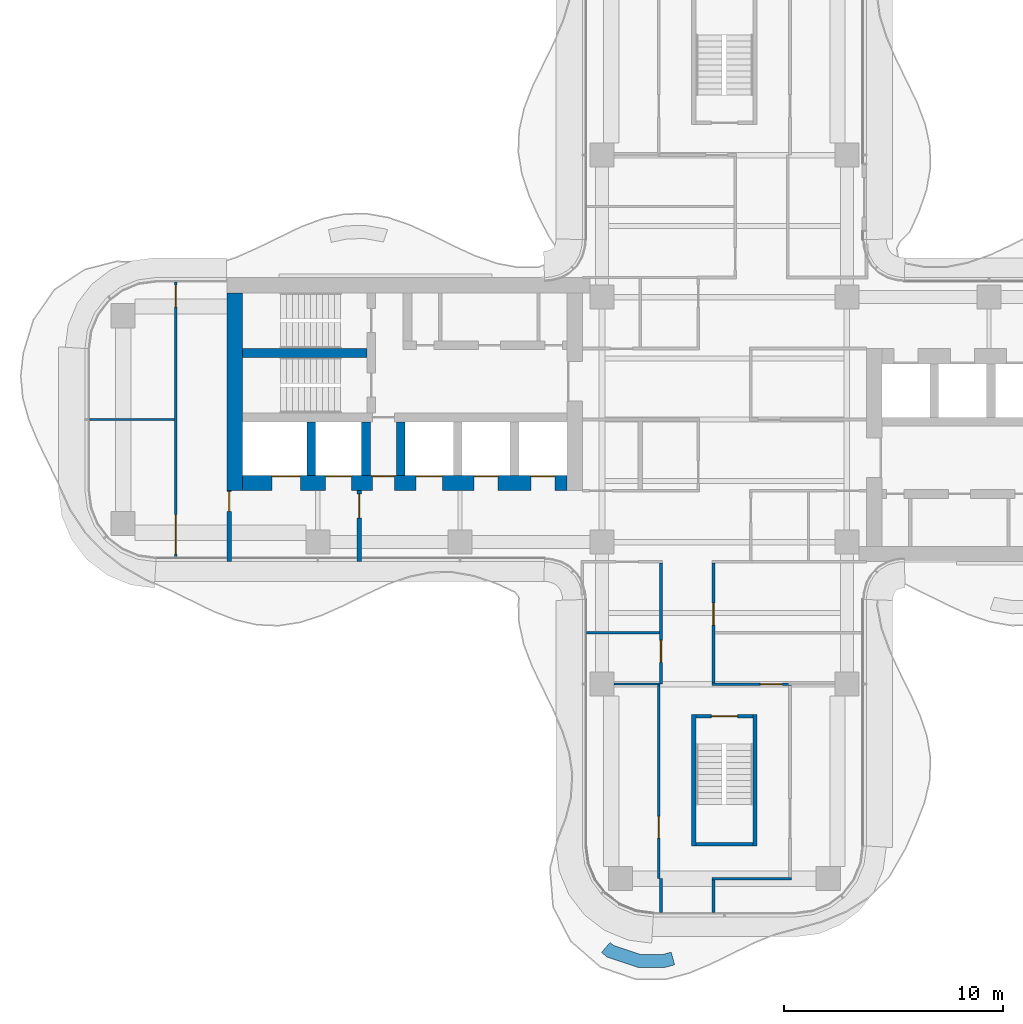
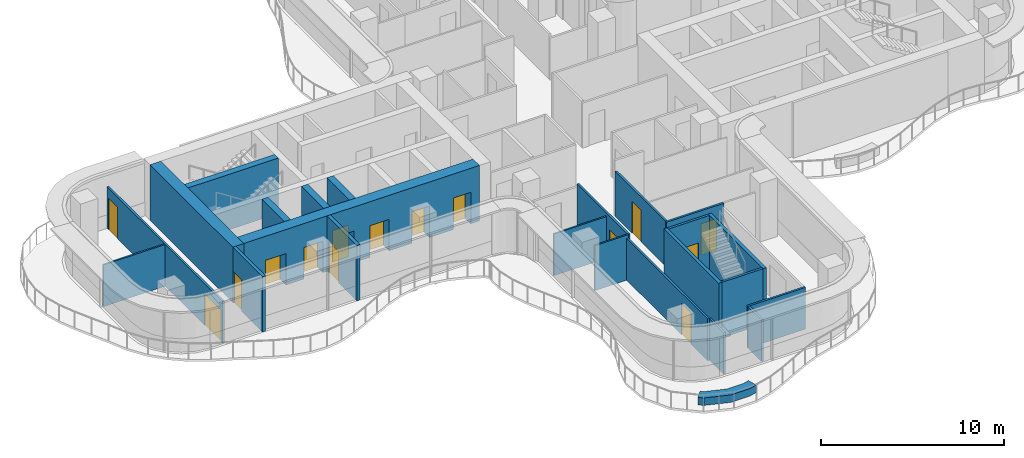
# One storey, part 11 of 16: 24 walls, 15 doors, 15 openings.
"""IFC4 building model written with IfcOpenShell, lengths in metres."""

from ifc_helpers import new_model, si_unit, direction, frame, frame_2d, origin, place, context, subcontext, project, spatial, polyline, rectangle, outline, extrude, source, transform, mapped, material, layer, layer_set, type_object, element, fill, save


model = new_model("IFC4")

# Units and contexts
model_context = context("Model", 3, precision=1e-05, world=origin(), true_north=direction((0.0, 1.0)))
body_context = subcontext(model_context, "Body", "Model", "MODEL_VIEW")
ifc_project = project(units=[si_unit("LENGTHUNIT", "METRE"), si_unit("AREAUNIT", "SQUARE_METRE"), si_unit("VOLUMEUNIT", "CUBIC_METRE"), si_unit("PLANEANGLEUNIT", "RADIAN"), si_unit("MASSUNIT", "GRAM", prefix="KILO")], contexts=[model_context])

# Site, building, storey
site_placement = place(None, origin())
site = spatial("IfcSite", under=ifc_project, at=site_placement, CompositionType="ELEMENT")
building_placement = place(site_placement, origin())
building = spatial("IfcBuilding", under=site, at=building_placement, Name="Trellis Farm Tower", CompositionType="ELEMENT")
storey_placement = place(building_placement, frame((0.0, 0.0, 255.800048828125)))
storey = spatial("IfcBuildingStorey", under=building, at=storey_placement, Name="L57", CompositionType="ELEMENT", Elevation=255.800048828125)

# Walls
ifc_material_1 = material(Name="Sandstone faced masonry planter", Category="masonry")
ifc_layer_1 = layer(ifc_material_1, 0.60009765625)
ifc_layer_set_1 = layer_set([ifc_layer_1], Name="PLANTER BED 600")
wall_type_1 = type_object("IfcWallType", Name="PLANTER BED 600", PredefinedType="USERDEFINED", material=ifc_layer_set_1)
wall_1_placement = place(storey_placement, origin())
element("IfcWall", 1, at=wall_1_placement, inside=storey, type_object=wall_type_1, Name="PLANTER bed", ObjectType="PLANTER", PredefinedType="USERDEFINED", context=body_context, shape_type="SweptSolid", body=[
    extrude(outline(polyline([(-2.71875, -25.0595703125), (-3.939208984375, -25.066650390625), (-5.377197265625, -24.581298828125), (-5.62158203125, -24.3701171875), (-5.22900390625, -23.91650390625), (-5.073974609375, -24.050537109375), (-3.84228515625, -24.466064453125), (-2.800537109375, -24.4599609375), (-2.43408203125, -24.360595703125), (-2.27685546875, -24.939453125), (-2.71875, -25.0595703125)])), origin(), (0.0, 0.0, 1.0), 0.5),
])
ifc_material_2 = material(Name="Concrete C60/75", Category="concrete")
ifc_layer_2 = layer(ifc_material_2, 0.699951171875)
ifc_layer_set_2 = layer_set([ifc_layer_2], Name="CORE OUTER WALL 700 CONCRETE C60/75")
wall_type_2 = type_object("IfcWallType", Name="CORE OUTER WALL 700 CONCRETE C60/75", PredefinedType="SHEAR", material=ifc_layer_set_2)
shared_shape_1 = source(origin(), body_context, "Body", "SweptSolid", [
    extrude(rectangle(XDim=9.050048828125, YDim=0.699951171875, at=frame_2d((4.52490234375, 0.0))), origin(), (0.0, 0.0, 1.0), 3.699951171875),
])
wall_2_placement = place(storey_placement, frame((-22.39990234375, 5.800048828125, 0.0), z_axis=(0.0, 0.0, 1.0), x_axis=(0.0, -1.0, 0.0)))
element("IfcWall", 2, at=wall_2_placement, inside=storey, type_object=wall_type_2, Name="Core wall", PredefinedType="SHEAR", context=body_context, shape_type="MappedRepresentation", body=[
    mapped(shared_shape_1, transform((0.0, 0.0, 0.0))),
])
ifc_layer_3 = layer(ifc_material_2, 0.39990234375)
ifc_layer_set_3 = layer_set([ifc_layer_3], Name="CORE INNER WALL 400 CONCRETE C60/75")
wall_type_3 = type_object("IfcWallType", Name="CORE INNER WALL 400 CONCRETE C60/75", PredefinedType="SHEAR", material=ifc_layer_set_3)
shared_shape_2 = source(origin(), body_context, "Body", "SweptSolid", [
    extrude(rectangle(XDim=2.449951171875, YDim=0.39990234375, at=frame_2d((1.22509765625, 0.0))), origin(), (0.0, 0.0, 1.0), 3.699951171875),
])
for number, where, z_axis, x_axis, name in (
    (3, (-14.800048828125, -0.10009765625, 0.0), (0.0, 0.0, 1.0), (0.0, -1.0, 0.0), "Core wall"),
    (4, (-16.39990234375, -0.10009765625, 0.0), (0.0, 0.0, 1.0), (0.0, -1.0, 0.0), "Core wall"),
    (5, (-18.89990234375, -0.10009765625, 0.0), (0.0, 0.0, 1.0), (0.0, -1.0, 0.0), "Core wall"),
):
    element("IfcWall", number, at=place(storey_placement, frame(where, z_axis=z_axis, x_axis=x_axis)), inside=storey, type_object=wall_type_3, Name=name, PredefinedType="SHEAR", context=body_context, shape_type="MappedRepresentation", body=[
        mapped(shared_shape_2, transform((0.0, 0.0, 0.0))),
    ])

# Wall, opening, door
ifc_material_3 = material(Name="Masonry blockwork", Category="masonry")
ifc_layer_4 = layer(ifc_material_3, 0.199951171875)
ifc_layer_set_4 = layer_set([ifc_layer_4], Name="FIRE LOBBY PARTITION 200 BLOCKWORK")
wall_type_4 = type_object("IfcWallType", Name="FIRE LOBBY PARTITION 200 BLOCKWORK", PredefinedType="PARTITIONING", material=ifc_layer_set_4)
shared_shape_3 = source(origin(), body_context, "Body", "SweptSolid", [
    extrude(rectangle(XDim=3.25, YDim=0.199951171875, at=frame_2d((1.625, 0.0))), origin(), (0.0, 0.0, 1.0), 3.699951171875),
])
wall_3_placement = place(storey_placement, frame((-16.699951171875, -3.25, 0.0), z_axis=(0.0, 0.0, 1.0), x_axis=(0.0, -1.0, 0.0)))
wall_3 = element("IfcWall", 6, at=wall_3_placement, inside=storey, type_object=wall_type_4, Name="Fire-fighting lobby partition", PredefinedType="PARTITIONING", context=body_context, shape_type="MappedRepresentation", body=[
    mapped(shared_shape_3, transform((0.0, 0.0, 0.0))),
])
shared_shape_4 = source(origin(), body_context, "Body", "SweptSolid", [
    extrude(rectangle(XDim=1.10009765625, YDim=2.10009765625, at=frame_2d((0.550048828125, 1.050048828125))), frame((0.0, 0.110107421875, 0.0), z_axis=(0.0, -1.0, 0.0), x_axis=(1.0, 0.0, 0.0)), (0.0, 0.0, 1.0), 0.22021484375),
])
opening_1_placement = place(wall_3_placement, frame((0.14990234375, 0.0, 0.0)))
opening_1 = element("IfcOpeningElement", 7, at=opening_1_placement, cuts=wall_3, Name="Opening DC93", PredefinedType="OPENING", context=body_context, shape_type="MappedRepresentation", body=[
    mapped(shared_shape_4, transform((0.0, 0.0, 0.0))),
])
ifc_material_4 = material(Name="Steel", Category="steel")
door_type_1 = type_object("IfcDoorType", Name="CORE FIRE DOOR 1100 X 2100", OperationType="NOTDEFINED", PredefinedType="DOOR", material=ifc_material_4)
shared_shape_5 = source(origin(), body_context, "Body", "SweptSolid", [
    extrude(rectangle(XDim=1.10009765625, YDim=2.10009765625, at=frame_2d((0.550048828125, 1.050048828125))), frame((0.0, 0.02490234375, 0.0), z_axis=(0.0, -1.0, 0.0), x_axis=(1.0, 0.0, 0.0)), (0.0, 0.0, 1.0), 0.050048828125),
])
door_1_placement = place(opening_1_placement, origin())
door_1 = element("IfcDoor", 8, at=door_1_placement, inside=storey, type_object=door_type_1, Name="Core door", OperationType="SINGLE_SWING_RIGHT", OverallHeight=2.10009765625, OverallWidth=1.10009765625, PredefinedType="DOOR", context=body_context, shape_type="MappedRepresentation", body=[
    mapped(shared_shape_5, transform((0.0, 0.0, 0.0))),
])
fill(opening_1, door_1)

wall_4_placement = place(storey_placement, frame((-22.64990234375, -3.25, 0.0), z_axis=(0.0, 0.0, 1.0), x_axis=(0.0, -1.0, 0.0)))
wall_4 = element("IfcWall", 9, at=wall_4_placement, inside=storey, type_object=wall_type_4, Name="Fire-fighting lobby partition", PredefinedType="PARTITIONING", context=body_context, shape_type="MappedRepresentation", body=[
    mapped(shared_shape_3, transform((0.0, 0.0, 0.0))),
])
shared_shape_6 = source(origin(), body_context, "Body", "SweptSolid", [
    extrude(rectangle(XDim=0.89990234375, YDim=2.10009765625, at=frame_2d((0.449951171875, 1.050048828125))), frame((0.0, 0.110107421875, 0.0), z_axis=(0.0, -1.0, 0.0), x_axis=(1.0, 0.0, 0.0)), (0.0, 0.0, 1.0), 0.22021484375),
])
opening_2_placement = place(wall_4_placement, frame((0.050048828125, 0.0, 0.0)))
opening_2 = element("IfcOpeningElement", 10, at=opening_2_placement, cuts=wall_4, Name="Opening DC94", PredefinedType="OPENING", context=body_context, shape_type="MappedRepresentation", body=[
    mapped(shared_shape_6, transform((0.0, 0.0, 0.0))),
])
door_type_2 = type_object("IfcDoorType", Name="CORE FIRE DOOR 900 X 2100", OperationType="NOTDEFINED", PredefinedType="DOOR", material=ifc_material_4)
shared_shape_7 = source(origin(), body_context, "Body", "SweptSolid", [
    extrude(rectangle(XDim=0.89990234375, YDim=2.10009765625, at=frame_2d((0.449951171875, 1.050048828125))), frame((0.0, 0.02490234375, 0.0), z_axis=(0.0, -1.0, 0.0), x_axis=(1.0, 0.0, 0.0)), (0.0, 0.0, 1.0), 0.050048828125),
])
door_2_placement = place(opening_2_placement, origin())
door_2 = element("IfcDoor", 11, at=door_2_placement, inside=storey, type_object=door_type_2, Name="Core door", OperationType="SINGLE_SWING_RIGHT", OverallHeight=2.10009765625, OverallWidth=0.89990234375, PredefinedType="DOOR", context=body_context, shape_type="MappedRepresentation", body=[
    mapped(shared_shape_7, transform((0.0, 0.0, 0.0))),
])
fill(opening_2, door_2)

# Wall, openings, doors
shared_shape_8 = source(origin(), body_context, "Body", "SweptSolid", [
    extrude(rectangle(XDim=14.85009765625, YDim=0.699951171875, at=frame_2d((7.425048828125, 0.0))), origin(), (0.0, 0.0, 1.0), 3.699951171875),
])
wall_5_placement = place(storey_placement, frame((-7.199951171875, -2.89990234375, 0.0), z_axis=(0.0, 0.0, 1.0), x_axis=(-1.0, 0.0, 0.0)))
wall_5 = element("IfcWall", 12, at=wall_5_placement, inside=storey, type_object=wall_type_2, Name="Core wall", PredefinedType="SHEAR", context=body_context, shape_type="MappedRepresentation", body=[
    mapped(shared_shape_8, transform((0.0, 0.0, 0.0))),
])
shared_shape_9 = source(origin(), body_context, "Body", "SweptSolid", [
    extrude(rectangle(XDim=1.10009765625, YDim=2.10009765625, at=frame_2d((0.550048828125, 1.050048828125))), frame((0.0, 0.360107421875, 0.0), z_axis=(0.0, -1.0, 0.0), x_axis=(1.0, 0.0, 0.0)), (0.0, 0.0, 1.0), 0.72021484375),
])
opening_3_placement = place(wall_5_placement, frame((0.550048828125, 0.0, 0.0)))
opening_3 = element("IfcOpeningElement", 13, at=opening_3_placement, cuts=wall_5, Name="Opening LD12", PredefinedType="OPENING", context=body_context, shape_type="MappedRepresentation", body=[
    mapped(shared_shape_9, transform((0.0, 0.0, 0.0))),
])
opening_4_placement = place(wall_5_placement, frame((3.14990234375, 0.0, 0.0)))
opening_4 = element("IfcOpeningElement", 14, at=opening_4_placement, cuts=wall_5, Name="Opening LD13", PredefinedType="OPENING", context=body_context, shape_type="MappedRepresentation", body=[
    mapped(shared_shape_9, transform((0.0, 0.0, 0.0))),
])
shared_shape_10 = source(origin(), body_context, "Body", "SweptSolid", [
    extrude(rectangle(XDim=1.199951171875, YDim=2.10009765625, at=frame_2d((0.60009765625, 1.050048828125))), frame((0.0, 0.360107421875, 0.0), z_axis=(0.0, -1.0, 0.0), x_axis=(1.0, 0.0, 0.0)), (0.0, 0.0, 1.0), 0.72021484375),
])
opening_5_placement = place(wall_5_placement, frame((5.699951171875, 0.0, 0.0)))
opening_5 = element("IfcOpeningElement", 15, at=opening_5_placement, cuts=wall_5, Name="Opening LD14", PredefinedType="OPENING", context=body_context, shape_type="MappedRepresentation", body=[
    mapped(shared_shape_10, transform((0.0, 0.0, 0.0))),
])
shared_shape_11 = source(origin(), body_context, "Body", "SweptSolid", [
    extrude(rectangle(XDim=1.300048828125, YDim=2.10009765625, at=frame_2d((0.64990234375, 1.050048828125))), frame((0.0, 0.360107421875, 0.0), z_axis=(0.0, -1.0, 0.0), x_axis=(1.0, 0.0, 0.0)), (0.0, 0.0, 1.0), 0.72021484375),
])
opening_6_placement = place(wall_5_placement, frame((12.199951171875, 0.0, 0.0)))
opening_6 = element("IfcOpeningElement", 16, at=opening_6_placement, cuts=wall_5, Name="Opening LD15", PredefinedType="OPENING", context=body_context, shape_type="MappedRepresentation", body=[
    mapped(shared_shape_11, transform((0.0, 0.0, 0.0))),
])
opening_7_placement = place(wall_5_placement, frame((9.85009765625, 0.0, 0.0)))
opening_7 = element("IfcOpeningElement", 17, at=opening_7_placement, cuts=wall_5, Name="Opening LD16", PredefinedType="OPENING", context=body_context, shape_type="MappedRepresentation", body=[
    mapped(shared_shape_10, transform((0.0, 0.0, 0.0))),
])
shared_shape_12 = source(origin(), body_context, "Body", "SweptSolid", [
    extrude(rectangle(XDim=1.0, YDim=2.10009765625, at=frame_2d((0.5, 1.050048828125))), frame((0.0, 0.360107421875, 0.0), z_axis=(0.0, -1.0, 0.0), x_axis=(1.0, 0.0, 0.0)), (0.0, 0.0, 1.0), 0.72021484375),
])
opening_8_placement = place(wall_5_placement, frame((7.89990234375, 0.0, 0.0)))
opening_8 = element("IfcOpeningElement", 18, at=opening_8_placement, cuts=wall_5, Name="Opening DC92", PredefinedType="OPENING", context=body_context, shape_type="MappedRepresentation", body=[
    mapped(shared_shape_12, transform((0.0, 0.0, 0.0))),
])
door_type_3 = type_object("IfcDoorType", Name="CORE FIRE DOOR 1000 X 2100", OperationType="NOTDEFINED", PredefinedType="DOOR", material=ifc_material_4)
shared_shape_13 = source(origin(), body_context, "Body", "SweptSolid", [
    extrude(rectangle(XDim=1.0, YDim=2.10009765625, at=frame_2d((0.5, 1.050048828125))), frame((0.0, -0.27490234375, 0.0), z_axis=(0.0, -1.0, 0.0), x_axis=(1.0, 0.0, 0.0)), (0.0, 0.0, 1.0), 0.050048828125),
])
door_3_placement = place(opening_8_placement, origin())
door_3 = element("IfcDoor", 19, at=door_3_placement, inside=storey, type_object=door_type_3, Name="Core door", OperationType="SINGLE_SWING_LEFT", OverallHeight=2.10009765625, OverallWidth=1.0, PredefinedType="DOOR", context=body_context, shape_type="MappedRepresentation", body=[
    mapped(shared_shape_13, transform((0.0, 0.0, 0.0))),
])
fill(opening_8, door_3)
ifc_material_5 = material(Name="Stainless steel", Category="steel")
door_type_4 = type_object("IfcDoorType", Name="LIFT LANDING DOOR 1300 X 2100", OperationType="DOUBLE_DOOR_SLIDING", PredefinedType="DOOR", material=ifc_material_5)
shared_shape_14 = source(origin(), body_context, "Body", "SweptSolid", [
    extrude(rectangle(XDim=1.300048828125, YDim=2.10009765625, at=frame_2d((0.64990234375, 1.050048828125))), frame((0.0, -0.27490234375, 0.0), z_axis=(0.0, -1.0, 0.0), x_axis=(1.0, 0.0, 0.0)), (0.0, 0.0, 1.0), 0.050048828125),
])
door_4_placement = place(opening_6_placement, origin())
door_4 = element("IfcDoor", 20, at=door_4_placement, inside=storey, type_object=door_type_4, Name="Lift landing door", OperationType="DOUBLE_DOOR_SLIDING", OverallHeight=2.10009765625, OverallWidth=1.300048828125, PredefinedType="DOOR", context=body_context, shape_type="MappedRepresentation", body=[
    mapped(shared_shape_14, transform((0.0, 0.0, 0.0))),
])
fill(opening_6, door_4)
door_type_5 = type_object("IfcDoorType", Name="LIFT LANDING DOOR 1200 X 2100", OperationType="DOUBLE_DOOR_SLIDING", PredefinedType="DOOR", material=ifc_material_5)
shared_shape_15 = source(origin(), body_context, "Body", "SweptSolid", [
    extrude(rectangle(XDim=1.199951171875, YDim=2.10009765625, at=frame_2d((0.60009765625, 1.050048828125))), frame((0.0, -0.27490234375, 0.0), z_axis=(0.0, -1.0, 0.0), x_axis=(1.0, 0.0, 0.0)), (0.0, 0.0, 1.0), 0.050048828125),
])
door_5_placement = place(opening_5_placement, origin())
door_5 = element("IfcDoor", 21, at=door_5_placement, inside=storey, type_object=door_type_5, Name="Lift landing door", OperationType="DOUBLE_DOOR_SLIDING", OverallHeight=2.10009765625, OverallWidth=1.199951171875, PredefinedType="DOOR", context=body_context, shape_type="MappedRepresentation", body=[
    mapped(shared_shape_15, transform((0.0, 0.0, 0.0))),
])
fill(opening_5, door_5)
door_6_placement = place(opening_7_placement, origin())
door_6 = element("IfcDoor", 22, at=door_6_placement, inside=storey, type_object=door_type_5, Name="Lift landing door", OperationType="DOUBLE_DOOR_SLIDING", OverallHeight=2.10009765625, OverallWidth=1.199951171875, PredefinedType="DOOR", context=body_context, shape_type="MappedRepresentation", body=[
    mapped(shared_shape_15, transform((0.0, 0.0, 0.0))),
])
fill(opening_7, door_6)
door_type_6 = type_object("IfcDoorType", Name="LIFT LANDING DOOR 1100 X 2100", OperationType="DOUBLE_DOOR_SLIDING", PredefinedType="DOOR", material=ifc_material_5)
shared_shape_16 = source(origin(), body_context, "Body", "SweptSolid", [
    extrude(rectangle(XDim=1.10009765625, YDim=2.10009765625, at=frame_2d((0.550048828125, 1.050048828125))), frame((0.0, -0.27490234375, 0.0), z_axis=(0.0, -1.0, 0.0), x_axis=(1.0, 0.0, 0.0)), (0.0, 0.0, 1.0), 0.050048828125),
])
door_7_placement = place(opening_3_placement, origin())
door_7 = element("IfcDoor", 23, at=door_7_placement, inside=storey, type_object=door_type_6, Name="Lift landing door", OperationType="DOUBLE_DOOR_SLIDING", OverallHeight=2.10009765625, OverallWidth=1.10009765625, PredefinedType="DOOR", context=body_context, shape_type="MappedRepresentation", body=[
    mapped(shared_shape_16, transform((0.0, 0.0, 0.0))),
])
fill(opening_3, door_7)
door_8_placement = place(opening_4_placement, origin())
door_8 = element("IfcDoor", 24, at=door_8_placement, inside=storey, type_object=door_type_6, Name="Lift landing door", OperationType="DOUBLE_DOOR_SLIDING", OverallHeight=2.10009765625, OverallWidth=1.10009765625, PredefinedType="DOOR", context=body_context, shape_type="MappedRepresentation", body=[
    mapped(shared_shape_16, transform((0.0, 0.0, 0.0))),
])
fill(opening_4, door_8)

# Walls
shared_shape_17 = source(origin(), body_context, "Body", "SweptSolid", [
    extrude(rectangle(XDim=5.699951171875, YDim=0.39990234375, at=frame_2d((2.85009765625, 0.0))), origin(), (0.0, 0.0, 1.0), 3.699951171875),
])
wall_6_placement = place(storey_placement, frame((-16.35009765625, 3.050048828125, 0.0), z_axis=(0.0, 0.0, 1.0), x_axis=(-1.0, 0.0, 0.0)))
element("IfcWall", 25, at=wall_6_placement, inside=storey, type_object=wall_type_3, Name="Core wall", PredefinedType="SHEAR", context=body_context, shape_type="MappedRepresentation", body=[
    mapped(shared_shape_17, transform((0.0, 0.0, 0.0))),
])
ifc_layer_5 = layer(ifc_material_2, 0.199951171875)
ifc_layer_set_5 = layer_set([ifc_layer_5], Name="CORE STAIR ENCLOSURE WALL 200 CONCRETE C60/75")
wall_type_5 = type_object("IfcWallType", Name="CORE STAIR ENCLOSURE WALL 200 CONCRETE C60/75", PredefinedType="SHEAR", material=ifc_layer_set_5)
shared_shape_18 = source(origin(), body_context, "Body", "SweptSolid", [
    extrude(rectangle(XDim=6.0, YDim=0.199951171875, at=frame_2d((3.0, 0.0))), origin(), (0.0, 0.0, 1.0), 3.699951171875),
])
for number, where, z_axis, x_axis, name in (
    (26, (1.39990234375, -13.5, 0.0), (0.0, 0.0, 1.0), (0.0, -1.0, 0.0), "Stair enclosure wall"),
    (27, (-1.39990234375, -13.5, 0.0), (0.0, 0.0, 1.0), (0.0, -1.0, 0.0), "Stair enclosure wall"),
):
    element("IfcWall", number, at=place(storey_placement, frame(where, z_axis=z_axis, x_axis=x_axis)), inside=storey, type_object=wall_type_5, Name=name, PredefinedType="SHEAR", context=body_context, shape_type="MappedRepresentation", body=[
        mapped(shared_shape_18, transform((0.0, 0.0, 0.0))),
    ])

# Wall, opening, door
ifc_layer_6 = layer(ifc_material_2, 0.14990234375)
ifc_layer_set_6 = layer_set([ifc_layer_6], Name="CORE STAIR ENCLOSURE WALL 150 CONCRETE C60/75")
wall_type_6 = type_object("IfcWallType", Name="CORE STAIR ENCLOSURE WALL 150 CONCRETE C60/75", PredefinedType="SHEAR", material=ifc_layer_set_6)
shared_shape_19 = source(origin(), body_context, "Body", "SweptSolid", [
    extrude(rectangle(XDim=2.60009765625, YDim=0.14990234375, at=frame_2d((1.300048828125, 0.0))), origin(), (0.0, 0.0, 1.0), 3.699951171875),
])
wall_7_placement = place(storey_placement, frame((1.300048828125, -13.574951171875, 0.0), z_axis=(0.0, 0.0, 1.0), x_axis=(-1.0, 0.0, 0.0)))
wall_7 = element("IfcWall", 28, at=wall_7_placement, inside=storey, type_object=wall_type_6, Name="Stair enclosure wall", PredefinedType="SHEAR", context=body_context, shape_type="MappedRepresentation", body=[
    mapped(shared_shape_19, transform((0.0, 0.0, 0.0))),
])
shared_shape_20 = source(origin(), body_context, "Body", "SweptSolid", [
    extrude(rectangle(XDim=1.199951171875, YDim=2.10009765625, at=frame_2d((0.60009765625, 1.050048828125))), frame((0.0, 0.0849609375, 0.0), z_axis=(0.0, -1.0, 0.0), x_axis=(1.0, 0.0, 0.0)), (0.0, 0.0, 1.0), 0.169921875),
])
opening_9_placement = place(wall_7_placement, frame((0.699951171875, 0.0, 0.0)))
opening_9 = element("IfcOpeningElement", 29, at=opening_9_placement, cuts=wall_7, Name="Opening DC174", PredefinedType="OPENING", context=body_context, shape_type="MappedRepresentation", body=[
    mapped(shared_shape_20, transform((0.0, 0.0, 0.0))),
])
door_type_7 = type_object("IfcDoorType", Name="CORE FIRE DOOR 1200 X 2100", OperationType="NOTDEFINED", PredefinedType="DOOR", material=ifc_material_4)
shared_shape_21 = source(origin(), body_context, "Body", "SweptSolid", [
    extrude(rectangle(XDim=1.199951171875, YDim=2.10009765625, at=frame_2d((0.60009765625, 1.050048828125))), frame((0.0, 0.02490234375, 0.0), z_axis=(0.0, -1.0, 0.0), x_axis=(1.0, 0.0, 0.0)), (0.0, 0.0, 1.0), 0.050048828125),
])
door_9_placement = place(opening_9_placement, origin())
door_9 = element("IfcDoor", 30, at=door_9_placement, inside=storey, type_object=door_type_7, Name="Core door", OperationType="SINGLE_SWING_RIGHT", OverallHeight=2.10009765625, OverallWidth=1.199951171875, PredefinedType="DOOR", context=body_context, shape_type="MappedRepresentation", body=[
    mapped(shared_shape_21, transform((0.0, 0.0, 0.0))),
])
fill(opening_9, door_9)

# Wall
wall_8_placement = place(storey_placement, frame((1.300048828125, -19.425048828125, 0.0), z_axis=(0.0, 0.0, 1.0), x_axis=(-1.0, 0.0, 0.0)))
element("IfcWall", 31, at=wall_8_placement, inside=storey, type_object=wall_type_6, Name="Stair enclosure wall", PredefinedType="SHEAR", context=body_context, shape_type="MappedRepresentation", body=[
    mapped(shared_shape_19, transform((0.0, 0.0, 0.0))),
])

# Wall, opening, door
ifc_material_6 = material(Name="Plasterboard on steel studs, mineral wool", Category="steel")
ifc_layer_7 = layer(ifc_material_6, 0.125)
ifc_layer_set_7 = layer_set([ifc_layer_7], Name="PARTITION 125 STUD EI 60")
wall_type_7 = type_object("IfcWallType", Name="PARTITION 125 STUD EI 60", PredefinedType="PARTITIONING", material=ifc_layer_set_7)
shared_shape_22 = source(origin(), body_context, "Body", "SweptSolid", [
    extrude(rectangle(XDim=5.47509765625, YDim=0.125, at=frame_2d((2.737548828125, 0.0))), origin(), (0.0, 0.0, 1.0), 2.99658203125),
])
wall_9_placement = place(storey_placement, frame((-0.5, -6.5625, 0.0), z_axis=(0.0, 0.0, 1.0), x_axis=(0.0, -1.0, 0.0)))
wall_9 = element("IfcWall", 32, at=wall_9_placement, inside=storey, type_object=wall_type_7, Name="Partition PW1", PredefinedType="PARTITIONING", context=body_context, shape_type="MappedRepresentation", body=[
    mapped(shared_shape_22, transform((0.0, 0.0, 0.0))),
])
shared_shape_23 = source(origin(), body_context, "Body", "SweptSolid", [
    extrude(rectangle(XDim=1.0, YDim=2.10009765625, at=frame_2d((0.5, 1.050048828125))), frame((0.0, 0.072509765625, 0.0), z_axis=(0.0, -1.0, 0.0), x_axis=(1.0, 0.0, 0.0)), (0.0, 0.0, 1.0), 0.14501953125),
])
opening_10_placement = place(wall_9_placement, frame((1.83740234375, 0.0, 0.0)))
opening_10 = element("IfcOpeningElement", 33, at=opening_10_placement, cuts=wall_9, Name="Opening D104", PredefinedType="OPENING", context=body_context, shape_type="MappedRepresentation", body=[
    mapped(shared_shape_23, transform((0.0, 0.0, 0.0))),
])
ifc_material_7 = material(Name="Fire-rated timber door leaf in a hollow metal frame", Category="wood")
door_type_8 = type_object("IfcDoorType", Name="DOOR 1000x2100 FD30S", OperationType="NOTDEFINED", PredefinedType="DOOR", material=ifc_material_7)
shared_shape_24 = source(origin(), body_context, "Body", "SweptSolid", [
    extrude(rectangle(XDim=1.0, YDim=2.10009765625, at=frame_2d((0.5, 1.050048828125))), frame((0.0, 0.02490234375, 0.0), z_axis=(0.0, -1.0, 0.0), x_axis=(1.0, 0.0, 0.0)), (0.0, 0.0, 1.0), 0.050048828125),
])
door_10_placement = place(opening_10_placement, origin())
door_10 = element("IfcDoor", 34, at=door_10_placement, inside=storey, type_object=door_type_8, Name="Door D104", OperationType="SINGLE_SWING_RIGHT", OverallHeight=2.10009765625, OverallWidth=1.0, PredefinedType="DOOR", context=body_context, shape_type="MappedRepresentation", body=[
    mapped(shared_shape_24, transform((0.0, 0.0, 0.0))),
])
fill(opening_10, door_10)

shared_shape_25 = source(origin(), body_context, "Body", "SweptSolid", [
    extrude(rectangle(XDim=5.53759765625, YDim=0.125, at=frame_2d((2.768798828125, 0.0))), origin(), (0.0, 0.0, 1.0), 2.99658203125),
])
wall_10_placement = place(storey_placement, frame((-2.89990234375, -12.10009765625, 0.0), z_axis=(0.0, 0.0, 1.0), x_axis=(0.0, 1.0, 0.0)))
wall_10 = element("IfcWall", 35, at=wall_10_placement, inside=storey, type_object=wall_type_7, Name="Partition PW1", PredefinedType="PARTITIONING", context=body_context, shape_type="MappedRepresentation", body=[
    mapped(shared_shape_25, transform((0.0, 0.0, 0.0))),
])
opening_11_placement = place(wall_10_placement, frame((1.0, 0.0, 0.0)))
opening_11 = element("IfcOpeningElement", 36, at=opening_11_placement, cuts=wall_10, Name="Opening D103", PredefinedType="OPENING", context=body_context, shape_type="MappedRepresentation", body=[
    mapped(shared_shape_23, transform((0.0, 0.0, 0.0))),
])
door_11_placement = place(opening_11_placement, origin())
door_11 = element("IfcDoor", 37, at=door_11_placement, inside=storey, type_object=door_type_8, Name="Door D103", OperationType="SINGLE_SWING_RIGHT", OverallHeight=2.10009765625, OverallWidth=1.0, PredefinedType="DOOR", context=body_context, shape_type="MappedRepresentation", body=[
    mapped(shared_shape_24, transform((0.0, 0.0, 0.0))),
])
fill(opening_11, door_11)

# Wall, openings, doors
shared_shape_26 = source(origin(), body_context, "Body", "SweptSolid", [
    extrude(rectangle(XDim=12.60009765625, YDim=0.125, at=frame_2d((6.300048828125, 0.0))), origin(), (0.0, 0.0, 1.0), 2.780029296875),
])
wall_11_placement = place(storey_placement, frame((-25.10009765625, -6.300048828125, 0.0), z_axis=(0.0, 0.0, 1.0), x_axis=(0.0, 1.0, 0.0)))
wall_11 = element("IfcWall", 38, at=wall_11_placement, inside=storey, type_object=wall_type_7, Name="Partition PW1", PredefinedType="PARTITIONING", context=body_context, shape_type="MappedRepresentation", body=[
    mapped(shared_shape_26, transform((0.0, 0.0, 0.0))),
])
shared_shape_27 = source(origin(), body_context, "Body", "SweptSolid", [
    extrude(rectangle(XDim=1.800048828125, YDim=2.10009765625, at=frame_2d((0.89990234375, 1.050048828125))), frame((0.0, 0.072509765625, 0.0), z_axis=(0.0, -1.0, 0.0), x_axis=(1.0, 0.0, 0.0)), (0.0, 0.0, 1.0), 0.14501953125),
])
opening_12_placement = place(wall_11_placement, frame((0.14990234375, 0.0, 0.0)))
opening_12 = element("IfcOpeningElement", 39, at=opening_12_placement, cuts=wall_11, Name="Opening D202", PredefinedType="OPENING", context=body_context, shape_type="MappedRepresentation", body=[
    mapped(shared_shape_27, transform((0.0, 0.0, 0.0))),
])
opening_13_placement = place(wall_11_placement, frame((11.449951171875, 0.0, 0.0)))
opening_13 = element("IfcOpeningElement", 40, at=opening_13_placement, cuts=wall_11, Name="Opening D111", PredefinedType="OPENING", context=body_context, shape_type="MappedRepresentation", body=[
    mapped(shared_shape_23, transform((0.0, 0.0, 0.0))),
])
door_12_placement = place(opening_13_placement, origin())
door_12 = element("IfcDoor", 41, at=door_12_placement, inside=storey, type_object=door_type_8, Name="Door D111", OperationType="SINGLE_SWING_RIGHT", OverallHeight=2.10009765625, OverallWidth=1.0, PredefinedType="DOOR", context=body_context, shape_type="MappedRepresentation", body=[
    mapped(shared_shape_24, transform((0.0, 0.0, 0.0))),
])
fill(opening_13, door_12)
door_type_9 = type_object("IfcDoorType", Name="DOOR PAIR 1800x2100 FD30S", OperationType="NOTDEFINED", PredefinedType="DOOR", material=ifc_material_7)
shared_shape_28 = source(origin(), body_context, "Body", "SweptSolid", [
    extrude(rectangle(XDim=1.800048828125, YDim=2.10009765625, at=frame_2d((0.89990234375, 1.050048828125))), frame((0.0, 0.02490234375, 0.0), z_axis=(0.0, -1.0, 0.0), x_axis=(1.0, 0.0, 0.0)), (0.0, 0.0, 1.0), 0.050048828125),
])
door_13_placement = place(opening_12_placement, origin())
door_13 = element("IfcDoor", 42, at=door_13_placement, inside=storey, type_object=door_type_9, Name="Door D202", OperationType="DOUBLE_DOOR_SINGLE_SWING", OverallHeight=2.10009765625, OverallWidth=1.800048828125, PredefinedType="DOOR", context=body_context, shape_type="MappedRepresentation", body=[
    mapped(shared_shape_28, transform((0.0, 0.0, 0.0))),
])
fill(opening_12, door_13)

# Wall, opening, door
shared_shape_29 = source(origin(), body_context, "Body", "SweptSolid", [
    extrude(rectangle(XDim=3.625, YDim=0.125, at=frame_2d((1.8125, 0.0))), origin(), (0.0, 0.0, 1.0), 2.99658203125),
])
wall_12_placement = place(storey_placement, frame((-0.5625, -12.10009765625, 0.0), z_axis=(0.0, 0.0, 1.0), x_axis=(1.0, 0.0, 0.0)))
wall_12 = element("IfcWall", 43, at=wall_12_placement, inside=storey, type_object=wall_type_7, Name="Partition PW1", PredefinedType="PARTITIONING", context=body_context, shape_type="MappedRepresentation", body=[
    mapped(shared_shape_29, transform((0.0, 0.0, 0.0))),
])
opening_14_placement = place(wall_12_placement, frame((2.21240234375, 0.0, 0.0)))
opening_14 = element("IfcOpeningElement", 44, at=opening_14_placement, cuts=wall_12, Name="Opening D102", PredefinedType="OPENING", context=body_context, shape_type="MappedRepresentation", body=[
    mapped(shared_shape_23, transform((0.0, 0.0, 0.0))),
])
door_14_placement = place(opening_14_placement, origin())
door_14 = element("IfcDoor", 45, at=door_14_placement, inside=storey, type_object=door_type_8, Name="Door D102", OperationType="SINGLE_SWING_RIGHT", OverallHeight=2.10009765625, OverallWidth=1.0, PredefinedType="DOOR", context=body_context, shape_type="MappedRepresentation", body=[
    mapped(shared_shape_24, transform((0.0, 0.0, 0.0))),
])
fill(opening_14, door_14)

# Walls
ifc_material_8 = material(Name="Plasterboard on steel studs", Category="steel")
ifc_layer_8 = layer(ifc_material_8, 0.10009765625)
ifc_layer_set_8 = layer_set([ifc_layer_8], Name="PARTITION 100 STUD EI 30")
wall_type_8 = type_object("IfcWallType", Name="PARTITION 100 STUD EI 30", PredefinedType="PARTITIONING", material=ifc_layer_set_8)
shared_shape_30 = source(origin(), body_context, "Body", "SweptSolid", [
    extrude(rectangle(XDim=3.887451171875, YDim=0.10009765625, at=frame_2d((1.94384765625, 0.0))), origin(), (0.0, 0.0, 1.0), 2.780029296875),
])
wall_13_placement = place(storey_placement, frame((-29.050048828125, 0.0, 0.0), z_axis=(0.0, 0.0, 1.0), x_axis=(1.0, 0.0, 0.0)))
element("IfcWall", 46, at=wall_13_placement, inside=storey, type_object=wall_type_8, Name="Partition PW2", PredefinedType="PARTITIONING", context=body_context, shape_type="MappedRepresentation", body=[
    mapped(shared_shape_30, transform((0.0, 0.0, 0.0))),
])
shared_shape_31 = source(origin(), body_context, "Body", "SweptSolid", [
    extrude(rectangle(XDim=1.487548828125, YDim=0.125, at=frame_2d((0.74365234375, 0.0))), origin(), (0.0, 0.0, 1.0), 2.780029296875),
])
wall_14_placement = place(storey_placement, frame((-0.5, -21.0625, 0.0), z_axis=(0.0, 0.0, 1.0), x_axis=(0.0, -1.0, 0.0)))
element("IfcWall", 47, at=wall_14_placement, inside=storey, type_object=wall_type_7, Name="Partition PW1", PredefinedType="PARTITIONING", context=body_context, shape_type="MappedRepresentation", body=[
    mapped(shared_shape_31, transform((0.0, 0.0, 0.0))),
])
shared_shape_32 = source(origin(), body_context, "Body", "SweptSolid", [
    extrude(rectangle(XDim=1.550048828125, YDim=0.125, at=frame_2d((0.77490234375, 0.0))), origin(), (0.0, 0.0, 1.0), 2.780029296875),
])
wall_15_placement = place(storey_placement, frame((-2.89990234375, -22.550048828125, 0.0), z_axis=(0.0, 0.0, 1.0), x_axis=(0.0, 1.0, 0.0)))
element("IfcWall", 48, at=wall_15_placement, inside=storey, type_object=wall_type_7, Name="Partition PW1", PredefinedType="PARTITIONING", context=body_context, shape_type="MappedRepresentation", body=[
    mapped(shared_shape_32, transform((0.0, 0.0, 0.0))),
])
shared_shape_33 = source(origin(), body_context, "Body", "SweptSolid", [
    extrude(rectangle(XDim=3.625, YDim=0.125, at=frame_2d((1.8125, 0.0))), origin(), (0.0, 0.0, 1.0), 2.780029296875),
])
wall_16_placement = place(storey_placement, frame((3.0625, -21.0, 0.0), z_axis=(0.0, 0.0, 1.0), x_axis=(-1.0, 0.0, 0.0)))
element("IfcWall", 49, at=wall_16_placement, inside=storey, type_object=wall_type_7, Name="Partition PW1", PredefinedType="PARTITIONING", context=body_context, shape_type="MappedRepresentation", body=[
    mapped(shared_shape_33, transform((0.0, 0.0, 0.0))),
])
shared_shape_34 = source(origin(), body_context, "Body", "SweptSolid", [
    extrude(rectangle(XDim=2.112548828125, YDim=0.10009765625, at=frame_2d((1.05615234375, 0.0))), origin(), (0.0, 0.0, 1.0), 2.99658203125),
])
wall_17_placement = place(storey_placement, frame((-5.050048828125, -12.10009765625, 0.0), z_axis=(0.0, 0.0, 1.0), x_axis=(1.0, 0.0, 0.0)))
element("IfcWall", 50, at=wall_17_placement, inside=storey, type_object=wall_type_8, Name="Partition PW2", PredefinedType="PARTITIONING", context=body_context, shape_type="MappedRepresentation", body=[
    mapped(shared_shape_34, transform((0.0, 0.0, 0.0))),
])

# Wall, opening, door
shared_shape_35 = source(origin(), body_context, "Body", "SweptSolid", [
    extrude(rectangle(XDim=8.85009765625, YDim=0.125, at=frame_2d((4.425048828125, 0.0))), origin(), (0.0, 0.0, 1.0), 2.780029296875),
])
wall_18_placement = place(storey_placement, frame((-3.0, -21.0, 0.0), z_axis=(0.0, 0.0, 1.0), x_axis=(0.0, 1.0, 0.0)))
wall_18 = element("IfcWall", 51, at=wall_18_placement, inside=storey, type_object=wall_type_7, Name="Partition PW1", PredefinedType="PARTITIONING", context=body_context, shape_type="MappedRepresentation", body=[
    mapped(shared_shape_35, transform((0.0, 0.0, 0.0))),
])
opening_15_placement = place(wall_18_placement, frame((1.85009765625, 0.0, 0.0)))
opening_15 = element("IfcOpeningElement", 52, at=opening_15_placement, cuts=wall_18, Name="Opening D101", PredefinedType="OPENING", context=body_context, shape_type="MappedRepresentation", body=[
    mapped(shared_shape_23, transform((0.0, 0.0, 0.0))),
])
door_15_placement = place(opening_15_placement, origin())
door_15 = element("IfcDoor", 53, at=door_15_placement, inside=storey, type_object=door_type_8, Name="Door D101", OperationType="SINGLE_SWING_LEFT", OverallHeight=2.10009765625, OverallWidth=1.0, PredefinedType="DOOR", context=body_context, shape_type="MappedRepresentation", body=[
    mapped(shared_shape_24, transform((0.0, 0.0, 0.0))),
])
fill(opening_15, door_15)

# Wall
shared_shape_36 = source(origin(), body_context, "Body", "SweptSolid", [
    extrude(rectangle(XDim=3.337646484375, YDim=0.10009765625, at=frame_2d((1.6689453125, 0.0))), origin(), (0.0, 0.0, 1.0), 2.780029296875),
])
wall_19_placement = place(storey_placement, frame((-6.300048828125, -9.75, 0.0), z_axis=(0.0, 0.0, 1.0), x_axis=(1.0, 0.0, 0.0)))
element("IfcWall", 54, at=wall_19_placement, inside=storey, type_object=wall_type_8, Name="Partition PW2", PredefinedType="PARTITIONING", context=body_context, shape_type="MappedRepresentation", body=[
    mapped(shared_shape_36, transform((0.0, 0.0, 0.0))),
])

save(model, "model.ifc")
